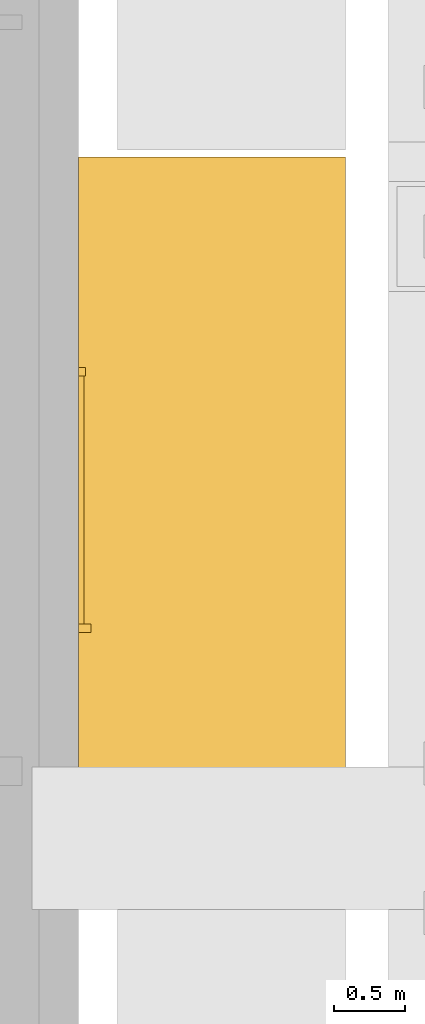
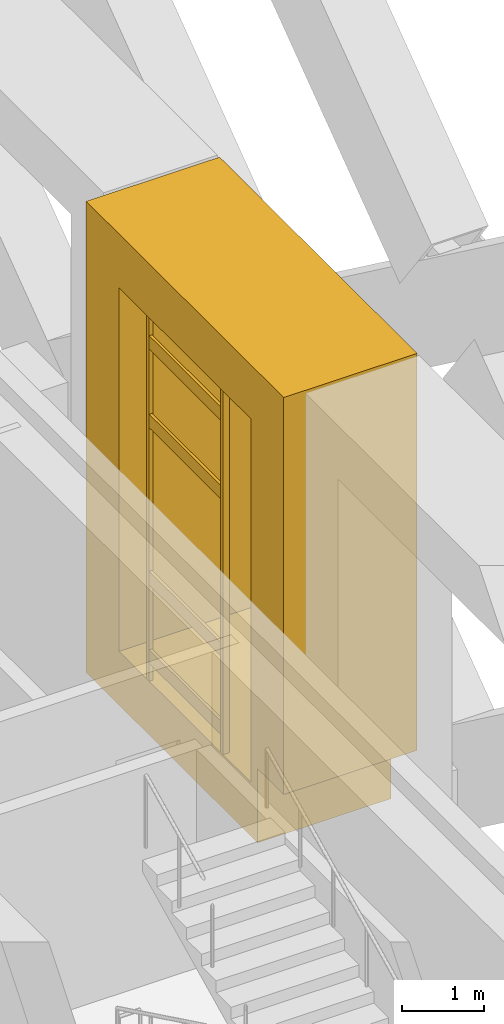
# One storey, part 21 of 25: 7 coverings.
"""IFC4 building model written with IfcOpenShell, lengths in metres."""

from ifc_helpers import new_model, si_unit, direction, frame, origin, origin_2d, place, context, subcontext, project, spatial, polyline, rectangle, outline, extrude, material, type_object, element, save


model = new_model("IFC4")

# Units and contexts
model_context = context("Model", 3, precision=1e-05, world=origin(), true_north=direction((0.0, 1.0)))
body_context = subcontext(model_context, "Body", "Model", "MODEL_VIEW")
ifc_project = project(units=[si_unit("LENGTHUNIT", "METRE"), si_unit("AREAUNIT", "SQUARE_METRE"), si_unit("VOLUMEUNIT", "CUBIC_METRE"), si_unit("PLANEANGLEUNIT", "RADIAN"), si_unit("MASSUNIT", "GRAM", prefix="KILO")], contexts=[model_context])

# Site, building, storey
site_placement = place(None, origin())
site = spatial("IfcSite", under=ifc_project, at=site_placement, CompositionType="ELEMENT")
building_placement = place(site_placement, origin())
building = spatial("IfcBuilding", under=site, at=building_placement, Name="Cobrizo Arcos Hotel Tower", CompositionType="ELEMENT")
storey_placement = place(building_placement, frame((0.0, 0.0, 148.0)))
storey = spatial("IfcBuildingStorey", under=building, at=storey_placement, Name="L37", CompositionType="ELEMENT", Elevation=148.0)

# Coverings
ifc_material_1 = material(Name="Aluminium 6063-T6 anodised bronze", Category="aluminium")
covering_type_1 = type_object("IfcCoveringType", Name="FIN-F 1875", PredefinedType="CLADDING", material=ifc_material_1)
covering_1_placement = place(storey_placement, frame((21.875, -2.403564453125, 0.0), z_axis=(1.0, 0.0, 0.0), x_axis=(0.0, 1.0, 0.0)))
element("IfcCovering", 1, at=covering_1_placement, inside=storey, type_object=covering_type_1, Name="Fin frame 203", PredefinedType="CLADDING", context=body_context, shape_type="SweptSolid", body=[
    extrude(outline(polyline([(0.0, 7.0), (0.0, 1.10205078125), (0.63427734375, 1.10205078125), (0.63427734375, 0.0), (4.80712890625, 0.0), (4.80712890625, 7.0), (0.0, 7.0)]), holes=[polyline([(4.007080078125, 0.800048828125), (0.800048828125, 0.800048828125), (0.800048828125, 6.199951171875), (4.007080078125, 6.199951171875), (4.007080078125, 0.800048828125)])]), origin(), (0.0, 0.0, 1.0), 1.875),
])
ifc_material_2 = material(Name="Aluminium 6063-T6 anodised pale", Category="aluminium")
covering_type_2 = type_object("IfcCoveringType", Name="RS-1 rainscreen rib 60x90", PredefinedType="CLADDING", material=ifc_material_2)
covering_2_placement = place(storey_placement, frame((21.919921875, -0.89990234375, 0.800048828125), z_axis=(0.0, 0.0, 1.0), x_axis=(0.0, 1.0, 0.0)))
element("IfcCovering", 2, at=covering_2_placement, inside=storey, type_object=covering_type_2, Name="Rainscreen rib 169", PredefinedType="CLADDING", context=body_context, shape_type="SweptSolid", body=[
    extrude(rectangle(XDim=0.06005859375, YDim=0.090087890625, at=origin_2d()), origin(), (0.0, 0.0, 1.0), 5.39990234375),
])
covering_type_3 = type_object("IfcCoveringType", Name="RS-2 rainscreen rib 60x50", PredefinedType="CLADDING", material=ifc_material_2)
covering_3_placement = place(storey_placement, frame((21.89990234375, 0.89990234375, 0.800048828125), z_axis=(0.0, 0.0, 1.0), x_axis=(0.0, 1.0, 0.0)))
element("IfcCovering", 3, at=covering_3_placement, inside=storey, type_object=covering_type_3, Name="Rainscreen rib 170", PredefinedType="CLADDING", context=body_context, shape_type="SweptSolid", body=[
    extrude(rectangle(XDim=0.06005859375, YDim=0.050048828125, at=origin_2d()), origin(), (0.0, 0.0, 1.0), 5.39990234375),
])
covering_type_4 = type_object("IfcCoveringType", Name="RS-3 rainscreen louvre slat 200x40", PredefinedType="CLADDING", material=ifc_material_2)
for number, where, z_axis, x_axis, name in (
    (4, (21.89501953125, 0.0, 1.06689453125), (0.0, 0.0, 1.0), (0.0, 1.0, 0.0), "Rainscreen slat 9"),
    (5, (21.89501953125, 0.0, 2.2333984375), (0.0, 0.0, 1.0), (0.0, 1.0, 0.0), "Rainscreen slat 10"),
    (6, (21.89501953125, 0.0, 4.56689453125), (0.0, 0.0, 1.0), (0.0, 1.0, 0.0), "Rainscreen slat 11"),
    (7, (21.89501953125, 0.0, 5.7333984375), (0.0, 0.0, 1.0), (0.0, 1.0, 0.0), "Rainscreen slat 12"),
):
    element("IfcCovering", number, at=place(storey_placement, frame(where, z_axis=z_axis, x_axis=x_axis)), inside=storey, type_object=covering_type_4, Name=name, PredefinedType="CLADDING", context=body_context, shape_type="SweptSolid", body=[
        extrude(rectangle(XDim=1.739990234375, YDim=0.0400390625, at=origin_2d()), origin(), (0.0, 0.0, 1.0), 0.199951171875),
    ])

save(model, "model.ifc")
